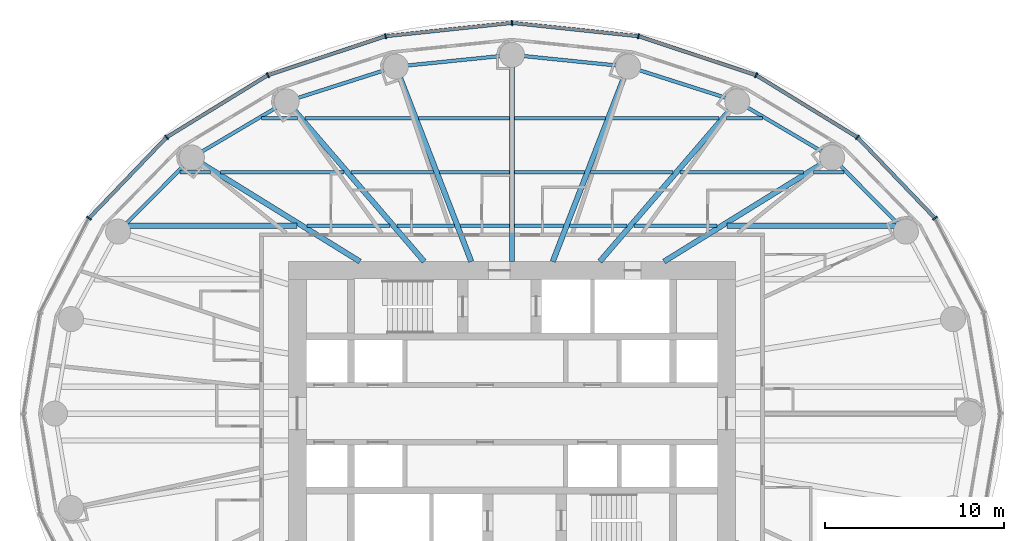
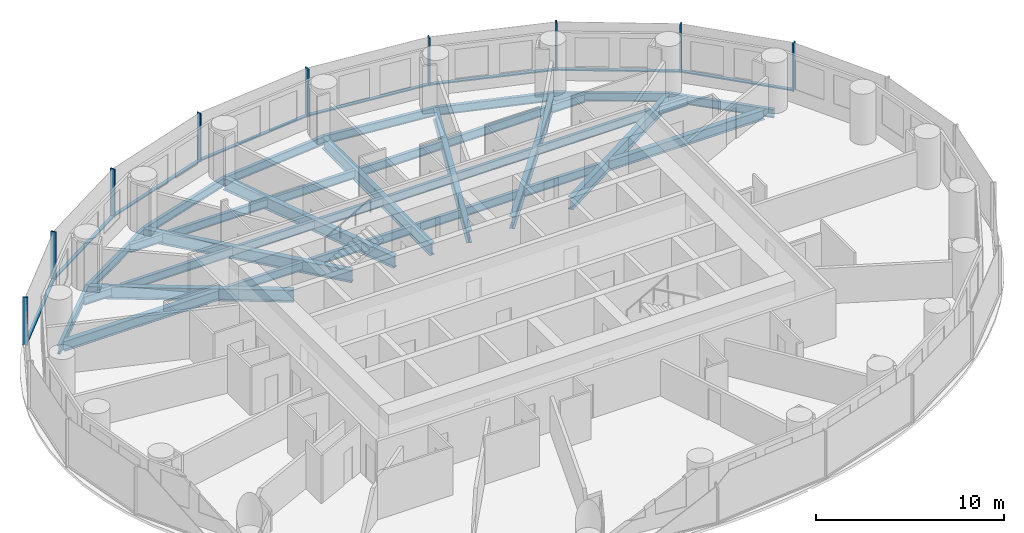
# One storey, part 4 of 13: 37 beams, 17 members, 2 elements without a shape of their own.
"""IFC4 building model written with IfcOpenShell, lengths in metres."""

from ifc_helpers import new_model, si_unit, direction, frame, origin, origin_2d, place, context, subcontext, project, spatial, rectangle, i_section, extrude, material, material_profile, profile_set, type_object, element, aggregate, save


model = new_model("IFC4")

# Units and contexts
model_context = context("Model", 3, precision=1e-05, world=origin(), true_north=direction((0.0, 1.0)))
body_context = subcontext(model_context, "Body", "Model", "MODEL_VIEW")
ifc_project = project(units=[si_unit("LENGTHUNIT", "METRE"), si_unit("AREAUNIT", "SQUARE_METRE"), si_unit("VOLUMEUNIT", "CUBIC_METRE"), si_unit("PLANEANGLEUNIT", "RADIAN"), si_unit("MASSUNIT", "GRAM", prefix="KILO")], contexts=[model_context])

# Site, building, storey
site_placement = place(None, origin())
site = spatial("IfcSite", under=ifc_project, at=site_placement, CompositionType="ELEMENT")
building_placement = place(site_placement, origin())
building = spatial("IfcBuilding", under=site, at=building_placement, Name="Hankou Lantern Tower", CompositionType="ELEMENT")
storey_placement = place(building_placement, frame((0.0, 0.0, 83.699951171875)))
storey = spatial("IfcBuildingStorey", under=building, at=storey_placement, Name="L21", CompositionType="ELEMENT", Elevation=83.699951171875)

# Beams
ifc_material_1 = material(Name="Steel Q355B", Category="steel")
ifc_material_profile_1 = material_profile(ifc_material_1, i_section(OverallWidth=0.199951171875, OverallDepth=0.550048828125, WebThickness=0.010009765625, FlangeThickness=0.01611328125, FilletRadius=0.012939453125, at=origin_2d()), Name="HN550x200x10x16")
ifc_profile_set_1 = profile_set([ifc_material_profile_1], Name="Steel Q355B")
beam_type_1 = type_object("IfcBeamType", Name="EB6 RING BEAM HN550x200x10x16", PredefinedType="SPANDREL", material=ifc_profile_set_1)
beam_1_placement = place(storey_placement, frame((22.01904296875, 10.170166015625, -0.454833984375), z_axis=(-0.705727798394, 0.708483079949, 0.0), x_axis=(-0.708483079949, -0.705727798394, 0.0)))
element("IfcBeam", 1, at=beam_1_placement, inside=storey, type_object=beam_type_1, Name="Ring beam R03-R04 L21", PredefinedType="SPANDREL", context=body_context, shape_type="SweptSolid", body=[
    extrude(i_section(OverallWidth=0.199951171875, OverallDepth=0.550048828125, WebThickness=0.010009765625, FlangeThickness=0.01611328125, FilletRadius=0.012939453125, at=origin_2d()), origin(), (0.0, 0.0, 1.0), 5.84814453125),
])
beam_2_placement = place(storey_placement, frame((17.891845703125, 14.3134765625, -0.454833984375), z_axis=(-0.860881533543, 0.508805449268, 0.0), x_axis=(-0.508805449268, -0.860881533543, 0.0)))
element("IfcBeam", 2, at=beam_2_placement, inside=storey, type_object=beam_type_1, Name="Ring beam R04-R05 L21", PredefinedType="SPANDREL", context=body_context, shape_type="SweptSolid", body=[
    extrude(i_section(OverallWidth=0.199951171875, OverallDepth=0.550048828125, WebThickness=0.010009765625, FlangeThickness=0.01611328125, FilletRadius=0.012939453125, at=origin_2d()), origin(), (0.0, 0.0, 1.0), 6.15771484375),
])
beam_3_placement = place(storey_placement, frame((12.5908203125, 17.446533203125, -0.454833984375), z_axis=(-0.952690479428, 0.303942182671, 0.0), x_axis=(-0.303942182671, -0.952690479428, 0.0)))
element("IfcBeam", 3, at=beam_3_placement, inside=storey, type_object=beam_type_1, Name="Ring beam R05-R06 L21", PredefinedType="SPANDREL", context=body_context, shape_type="SweptSolid", body=[
    extrude(i_section(OverallWidth=0.199951171875, OverallDepth=0.550048828125, WebThickness=0.010009765625, FlangeThickness=0.01611328125, FilletRadius=0.012939453125, at=origin_2d()), origin(), (0.0, 0.0, 1.0), 6.398681640625),
])
for number, where, z_axis, x_axis, name in (
    (4, (6.494873046875, 19.391357421875, -0.454833984375), (-0.994896616842, 0.100899562915, 0.0), (-0.100899562915, -0.994896616842, 0.0), "Ring beam R06-R07 L21"),
    (5, (0.0, 20.050048828125, -0.454833984375), (-0.994896616842, -0.100899562915, 0.0), (0.100899562915, -0.994896616842, 0.0), "Ring beam R07-R08 L21"),
):
    element("IfcBeam", number, at=place(storey_placement, frame(where, z_axis=z_axis, x_axis=x_axis)), inside=storey, type_object=beam_type_1, Name=name, PredefinedType="SPANDREL", context=body_context, shape_type="SweptSolid", body=[
        extrude(i_section(OverallWidth=0.199951171875, OverallDepth=0.550048828125, WebThickness=0.010009765625, FlangeThickness=0.01611328125, FilletRadius=0.012939453125, at=origin_2d()), origin(), (0.0, 0.0, 1.0), 6.528076171875),
    ])
beam_4_placement = place(storey_placement, frame((-6.494873046875, 19.391357421875, -0.454833984375), z_axis=(-0.952690479428, -0.303942182671, 0.0), x_axis=(0.303942182671, -0.952690479428, 0.0)))
element("IfcBeam", 6, at=beam_4_placement, inside=storey, type_object=beam_type_1, Name="Ring beam R08-R09 L21", PredefinedType="SPANDREL", context=body_context, shape_type="SweptSolid", body=[
    extrude(i_section(OverallWidth=0.199951171875, OverallDepth=0.550048828125, WebThickness=0.010009765625, FlangeThickness=0.01611328125, FilletRadius=0.012939453125, at=origin_2d()), origin(), (0.0, 0.0, 1.0), 6.398681640625),
])
beam_5_placement = place(storey_placement, frame((-12.5908203125, 17.446533203125, -0.454833984375), z_axis=(-0.860881533543, -0.508805449268, 0.0), x_axis=(0.508805449268, -0.860881533543, 0.0)))
element("IfcBeam", 7, at=beam_5_placement, inside=storey, type_object=beam_type_1, Name="Ring beam R09-R10 L21", PredefinedType="SPANDREL", context=body_context, shape_type="SweptSolid", body=[
    extrude(i_section(OverallWidth=0.199951171875, OverallDepth=0.550048828125, WebThickness=0.010009765625, FlangeThickness=0.01611328125, FilletRadius=0.012939453125, at=origin_2d()), origin(), (0.0, 0.0, 1.0), 6.15771484375),
])
beam_6_placement = place(storey_placement, frame((-17.891845703125, 14.3134765625, -0.454833984375), z_axis=(-0.705727798394, -0.708483079949, 0.0), x_axis=(0.708483079949, -0.705727798394, 0.0)))
element("IfcBeam", 8, at=beam_6_placement, inside=storey, type_object=beam_type_1, Name="Ring beam R10-R11 L21", PredefinedType="SPANDREL", context=body_context, shape_type="SweptSolid", body=[
    extrude(i_section(OverallWidth=0.199951171875, OverallDepth=0.550048828125, WebThickness=0.010009765625, FlangeThickness=0.01611328125, FilletRadius=0.012939453125, at=origin_2d()), origin(), (0.0, 0.0, 1.0), 5.84814453125),
])

# Curtain wall, members
ifc_material_2 = material(Name="Glass, dark grey tinted laminated", Category="glass")
curtain_wall_type = type_object("IfcCurtainWallType", Name="CWA OUTER SKIN LOW-RISE", PredefinedType="USERDEFINED", material=ifc_material_2)
curtain_wall_1_placement = place(storey_placement, origin())
curtain_wall_1 = element("IfcCurtainWall", 9, at=curtain_wall_1_placement, inside=storey, type_object=curtain_wall_type, Name="CWA L21 OS1", ObjectType="OUTER SKIN LOW-RISE", PredefinedType="USERDEFINED")
ifc_material_3 = material(Name="Aluminium, black anodised", Category="aluminium")
ifc_material_profile_2 = material_profile(ifc_material_3, rectangle(XDim=0.080078125, YDim=0.300048828125, at=origin_2d()), Name="MU1 80X300")
ifc_profile_set_2 = profile_set([ifc_material_profile_2], Name="Aluminium, black anodised")
member_type_1 = type_object("IfcMemberType", Name="MU1 OUTER SKIN MULLION 80X300", PredefinedType="MULLION", material=ifc_profile_set_2)
member_1_placement = place(storey_placement, frame((23.642578125, 10.919921875, 0.0), z_axis=(0.0, 0.0, 1.0), x_axis=(-0.585205735974, 0.810884854084, 0.0)))
member_1 = element("IfcMember", 10, at=member_1_placement, type_object=member_type_1, Name="CWA mullion 3", PredefinedType="MULLION", context=body_context, shape_type="SweptSolid", body=[
    extrude(rectangle(XDim=0.080078125, YDim=0.300048828125, at=origin_2d()), origin(), (0.0, 0.0, 1.0), 3.1201171875),
])
member_2_placement = place(storey_placement, frame((19.303955078125, 15.443115234375, 0.0), z_axis=(0.0, 0.0, 1.0), x_axis=(-0.780868809444, 0.624695047553, 0.0)))
member_2 = element("IfcMember", 11, at=member_2_placement, type_object=member_type_1, Name="CWA mullion 4", PredefinedType="MULLION", context=body_context, shape_type="SweptSolid", body=[
    extrude(rectangle(XDim=0.080078125, YDim=0.300048828125, at=origin_2d()), origin(), (0.0, 0.0, 1.0), 3.1201171875),
])
member_3_placement = place(storey_placement, frame((13.64990234375, 18.9140625, 0.0), z_axis=(0.0, 0.0, 1.0), x_axis=(-0.907841299004, 0.419313934686, 0.0)))
member_3 = element("IfcMember", 12, at=member_3_placement, type_object=member_type_1, Name="CWA mullion 5", PredefinedType="MULLION", context=body_context, shape_type="SweptSolid", body=[
    extrude(rectangle(XDim=0.080078125, YDim=0.300048828125, at=origin_2d()), origin(), (0.0, 0.0, 1.0), 3.1201171875),
])
member_4_placement = place(storey_placement, frame((7.065673828125, 21.095703125, 0.0), z_axis=(0.0, 0.0, 1.0), x_axis=(-0.977787659625, 0.209597931016, 0.0)))
member_4 = element("IfcMember", 13, at=member_4_placement, type_object=member_type_1, Name="CWA mullion 6", PredefinedType="MULLION", context=body_context, shape_type="SweptSolid", body=[
    extrude(rectangle(XDim=0.080078125, YDim=0.300048828125, at=origin_2d()), origin(), (0.0, 0.0, 1.0), 3.1201171875),
])

curtain_wall_2_placement = place(storey_placement, origin())
curtain_wall_2 = element("IfcCurtainWall", 14, at=curtain_wall_2_placement, inside=storey, type_object=curtain_wall_type, Name="CWA L21 OS2", ObjectType="OUTER SKIN LOW-RISE", PredefinedType="USERDEFINED")
member_5_placement = place(storey_placement, frame((0.0, 21.840087890625, 0.0), z_axis=(0.0, 0.0, 1.0), x_axis=(-0.994499359107, -0.104742659579, 0.0)))
member_5 = element("IfcMember", 15, at=member_5_placement, type_object=member_type_1, Name="CWA mullion 1", PredefinedType="MULLION", context=body_context, shape_type="SweptSolid", body=[
    extrude(rectangle(XDim=0.080078125, YDim=0.300048828125, at=origin_2d()), origin(), (0.0, 0.0, 1.0), 3.1201171875),
])
member_6_placement = place(storey_placement, frame((-7.065673828125, 21.095703125, 0.0), z_axis=(0.0, 0.0, 1.0), x_axis=(-0.977787659625, -0.209597931016, 0.0)))
member_6 = element("IfcMember", 16, at=member_6_placement, type_object=member_type_1, Name="CWA mullion 2", PredefinedType="MULLION", context=body_context, shape_type="SweptSolid", body=[
    extrude(rectangle(XDim=0.080078125, YDim=0.300048828125, at=origin_2d()), origin(), (0.0, 0.0, 1.0), 3.1201171875),
])
member_7_placement = place(storey_placement, frame((-13.64990234375, 18.9140625, 0.0), z_axis=(0.0, 0.0, 1.0), x_axis=(-0.907841299004, -0.419313934686, 0.0)))
member_7 = element("IfcMember", 17, at=member_7_placement, type_object=member_type_1, Name="CWA mullion 3", PredefinedType="MULLION", context=body_context, shape_type="SweptSolid", body=[
    extrude(rectangle(XDim=0.080078125, YDim=0.300048828125, at=origin_2d()), origin(), (0.0, 0.0, 1.0), 3.1201171875),
])
member_8_placement = place(storey_placement, frame((-19.303955078125, 15.443115234375, 0.0), z_axis=(0.0, 0.0, 1.0), x_axis=(-0.780868809444, -0.624695047553, 0.0)))
member_8 = element("IfcMember", 18, at=member_8_placement, type_object=member_type_1, Name="CWA mullion 4", PredefinedType="MULLION", context=body_context, shape_type="SweptSolid", body=[
    extrude(rectangle(XDim=0.080078125, YDim=0.300048828125, at=origin_2d()), origin(), (0.0, 0.0, 1.0), 3.1201171875),
])
member_9_placement = place(storey_placement, frame((-23.642578125, 10.919921875, 0.0), z_axis=(0.0, 0.0, 1.0), x_axis=(-0.585205735974, -0.810884854084, 0.0)))
member_9 = element("IfcMember", 19, at=member_9_placement, type_object=member_type_1, Name="CWA mullion 5", PredefinedType="MULLION", context=body_context, shape_type="SweptSolid", body=[
    extrude(rectangle(XDim=0.080078125, YDim=0.300048828125, at=origin_2d()), origin(), (0.0, 0.0, 1.0), 3.1201171875),
])

# Beams
ifc_material_4 = material(Name="Steel Q355B", Category="steel")
ifc_material_profile_3 = material_profile(ifc_material_4, i_section(OverallWidth=0.300048828125, OverallDepth=0.800048828125, WebThickness=0.013916015625, FlangeThickness=0.02587890625, FilletRadius=0.01806640625, at=origin_2d()), Name="HN800x300x14x26")
ifc_profile_set_3 = profile_set([ifc_material_profile_3], Name="Steel Q355B")
beam_type_2 = type_object("IfcBeamType", Name="RB11 RADIAL BEAM HN800x300x14x26", PredefinedType="BEAM", material=ifc_profile_set_3)
beam_7_placement = place(storey_placement, frame((8.5, 8.5, -0.579833984375), z_axis=(0.850286343288, 0.526320372414, 0.0), x_axis=(-0.526320372414, 0.850286343288, 0.0)))
element("IfcBeam", 20, at=beam_7_placement, inside=storey, type_object=beam_type_2, Name="Radial beam R04 L21", PredefinedType="BEAM", context=body_context, shape_type="SweptSolid", body=[
    extrude(i_section(OverallWidth=0.300048828125, OverallDepth=0.800048828125, WebThickness=0.013916015625, FlangeThickness=0.02587890625, FilletRadius=0.01806640625, at=origin_2d()), origin(), (0.0, 0.0, 1.0), 11.04541015625),
])
beam_8_placement = place(storey_placement, frame((4.907470703125, 8.5, -0.579833984375), z_axis=(0.651519061225, 0.758632264579, 0.0), x_axis=(-0.758632264579, 0.651519061225, 0.0)))
element("IfcBeam", 21, at=beam_8_placement, inside=storey, type_object=beam_type_2, Name="Radial beam R05 L21", PredefinedType="BEAM", context=body_context, shape_type="SweptSolid", body=[
    extrude(i_section(OverallWidth=0.300048828125, OverallDepth=0.800048828125, WebThickness=0.013916015625, FlangeThickness=0.02587890625, FilletRadius=0.01806640625, at=origin_2d()), origin(), (0.0, 0.0, 1.0), 11.79296875),
])
beam_9_placement = place(storey_placement, frame((2.277587890625, 8.5, -0.579833984375), z_axis=(0.361089103374, 0.932531318201, 0.0), x_axis=(-0.932531318201, 0.361089103374, 0.0)))
element("IfcBeam", 22, at=beam_9_placement, inside=storey, type_object=beam_type_2, Name="Radial beam R06 L21", PredefinedType="BEAM", context=body_context, shape_type="SweptSolid", body=[
    extrude(i_section(OverallWidth=0.300048828125, OverallDepth=0.800048828125, WebThickness=0.013916015625, FlangeThickness=0.02587890625, FilletRadius=0.01806640625, at=origin_2d()), origin(), (0.0, 0.0, 1.0), 11.679443359375),
])
beam_10_placement = place(storey_placement, frame((0.0, 8.5, -0.579833984375), z_axis=(0.0, 1.0, 0.0), x_axis=(-1.0, 0.0, 0.0)))
element("IfcBeam", 23, at=beam_10_placement, inside=storey, type_object=beam_type_2, Name="Radial beam R07 L21", PredefinedType="BEAM", context=body_context, shape_type="SweptSolid", body=[
    extrude(i_section(OverallWidth=0.300048828125, OverallDepth=0.800048828125, WebThickness=0.013916015625, FlangeThickness=0.02587890625, FilletRadius=0.01806640625, at=origin_2d()), origin(), (0.0, 0.0, 1.0), 11.550048828125),
])
beam_11_placement = place(storey_placement, frame((-2.277587890625, 8.5, -0.579833984375), z_axis=(-0.361089103374, 0.932531318201, 0.0), x_axis=(-0.932531318201, -0.361089103374, 0.0)))
element("IfcBeam", 24, at=beam_11_placement, inside=storey, type_object=beam_type_2, Name="Radial beam R08 L21", PredefinedType="BEAM", context=body_context, shape_type="SweptSolid", body=[
    extrude(i_section(OverallWidth=0.300048828125, OverallDepth=0.800048828125, WebThickness=0.013916015625, FlangeThickness=0.02587890625, FilletRadius=0.01806640625, at=origin_2d()), origin(), (0.0, 0.0, 1.0), 11.679443359375),
])
beam_12_placement = place(storey_placement, frame((-4.907470703125, 8.5, -0.579833984375), z_axis=(-0.651519061225, 0.758632264579, 0.0), x_axis=(-0.758632264579, -0.651519061225, 0.0)))
element("IfcBeam", 25, at=beam_12_placement, inside=storey, type_object=beam_type_2, Name="Radial beam R09 L21", PredefinedType="BEAM", context=body_context, shape_type="SweptSolid", body=[
    extrude(i_section(OverallWidth=0.300048828125, OverallDepth=0.800048828125, WebThickness=0.013916015625, FlangeThickness=0.02587890625, FilletRadius=0.01806640625, at=origin_2d()), origin(), (0.0, 0.0, 1.0), 11.79296875),
])
beam_13_placement = place(storey_placement, frame((-8.5, 8.5, -0.579833984375), z_axis=(-0.850286343288, 0.526320372414, 0.0), x_axis=(-0.526320372414, -0.850286343288, 0.0)))
element("IfcBeam", 26, at=beam_13_placement, inside=storey, type_object=beam_type_2, Name="Radial beam R10 L21", PredefinedType="BEAM", context=body_context, shape_type="SweptSolid", body=[
    extrude(i_section(OverallWidth=0.300048828125, OverallDepth=0.800048828125, WebThickness=0.013916015625, FlangeThickness=0.02587890625, FilletRadius=0.01806640625, at=origin_2d()), origin(), (0.0, 0.0, 1.0), 11.04541015625),
])
ifc_material_5 = material(Name="Steel Q355B", Category="steel")
ifc_material_profile_4 = material_profile(ifc_material_5, i_section(OverallWidth=0.199951171875, OverallDepth=0.550048828125, WebThickness=0.010009765625, FlangeThickness=0.01611328125, FilletRadius=0.012939453125, at=origin_2d()), Name="HN550x200x10x16")
ifc_profile_set_4 = profile_set([ifc_material_profile_4], Name="Steel Q355B")
beam_type_3 = type_object("IfcBeamType", Name="SB6 SECONDARY BEAM HN550x200x10x16", PredefinedType="JOIST", material=ifc_profile_set_4)
beam_14_placement = place(storey_placement, frame((-11.446044921875, 10.5, -0.454833984375), z_axis=(1.0, 0.0, 0.0), x_axis=(0.0, 1.0, 0.0)))
element("IfcBeam", 27, at=beam_14_placement, inside=storey, type_object=beam_type_3, Name="Floor joist J040 L21", PredefinedType="JOIST", context=body_context, shape_type="SweptSolid", body=[
    extrude(i_section(OverallWidth=0.199951171875, OverallDepth=0.550048828125, WebThickness=0.010009765625, FlangeThickness=0.01611328125, FilletRadius=0.012939453125, at=origin_2d()), origin(), (0.0, 0.0, 1.0), 4.623291015625),
])
beam_15_placement = place(storey_placement, frame((-6.427490234375, 10.5, -0.454833984375), z_axis=(1.0, 0.0, 0.0), x_axis=(0.0, 1.0, 0.0)))
element("IfcBeam", 28, at=beam_15_placement, inside=storey, type_object=beam_type_3, Name="Floor joist J041 L21", PredefinedType="JOIST", context=body_context, shape_type="SweptSolid", body=[
    extrude(i_section(OverallWidth=0.199951171875, OverallDepth=0.550048828125, WebThickness=0.010009765625, FlangeThickness=0.01611328125, FilletRadius=0.012939453125, at=origin_2d()), origin(), (0.0, 0.0, 1.0), 3.214599609375),
])
for number, where, z_axis, x_axis, name in (
    (29, (-2.89111328125, 10.5, -0.454833984375), (1.0, 0.0, 0.0), (0.0, 1.0, 0.0), "Floor joist J042 L21"),
    (30, (0.14990234375, 10.5, -0.454833984375), (1.0, 0.0, 0.0), (0.0, 1.0, 0.0), "Floor joist J043 L21"),
):
    element("IfcBeam", number, at=place(storey_placement, frame(where, z_axis=z_axis, x_axis=x_axis)), inside=storey, type_object=beam_type_3, Name=name, PredefinedType="JOIST", context=body_context, shape_type="SweptSolid", body=[
        extrude(i_section(OverallWidth=0.199951171875, OverallDepth=0.550048828125, WebThickness=0.010009765625, FlangeThickness=0.01611328125, FilletRadius=0.012939453125, at=origin_2d()), origin(), (0.0, 0.0, 1.0), 2.7412109375),
    ])
beam_16_placement = place(storey_placement, frame((3.212890625, 10.5, -0.454833984375), z_axis=(1.0, 0.0, 0.0), x_axis=(0.0, 1.0, 0.0)))
element("IfcBeam", 31, at=beam_16_placement, inside=storey, type_object=beam_type_3, Name="Floor joist J044 L21", PredefinedType="JOIST", context=body_context, shape_type="SweptSolid", body=[
    extrude(i_section(OverallWidth=0.199951171875, OverallDepth=0.550048828125, WebThickness=0.010009765625, FlangeThickness=0.01611328125, FilletRadius=0.012939453125, at=origin_2d()), origin(), (0.0, 0.0, 1.0), 3.214599609375),
])
beam_17_placement = place(storey_placement, frame((6.82275390625, 10.5, -0.454833984375), z_axis=(1.0, 0.0, 0.0), x_axis=(0.0, 1.0, 0.0)))
element("IfcBeam", 32, at=beam_17_placement, inside=storey, type_object=beam_type_3, Name="Floor joist J045 L21", PredefinedType="JOIST", context=body_context, shape_type="SweptSolid", body=[
    extrude(i_section(OverallWidth=0.199951171875, OverallDepth=0.550048828125, WebThickness=0.010009765625, FlangeThickness=0.01611328125, FilletRadius=0.012939453125, at=origin_2d()), origin(), (0.0, 0.0, 1.0), 4.623291015625),
])
beam_18_placement = place(storey_placement, frame((-18.560791015625, 13.5, -0.454833984375), z_axis=(1.0, 0.0, 0.0), x_axis=(0.0, 1.0, 0.0)))
element("IfcBeam", 33, at=beam_18_placement, inside=storey, type_object=beam_type_3, Name="Floor joist J047 L21", PredefinedType="JOIST", context=body_context, shape_type="SweptSolid", body=[
    extrude(i_section(OverallWidth=0.199951171875, OverallDepth=0.550048828125, WebThickness=0.010009765625, FlangeThickness=0.01611328125, FilletRadius=0.012939453125, at=origin_2d()), origin(), (0.0, 0.0, 1.0), 1.697998046875),
])
beam_19_placement = place(storey_placement, frame((-16.292724609375, 13.5, -0.454833984375), z_axis=(1.0, 0.0, 0.0), x_axis=(0.0, 1.0, 0.0)))
element("IfcBeam", 34, at=beam_19_placement, inside=storey, type_object=beam_type_3, Name="Floor joist J048 L21", PredefinedType="JOIST", context=body_context, shape_type="SweptSolid", body=[
    extrude(i_section(OverallWidth=0.199951171875, OverallDepth=0.550048828125, WebThickness=0.010009765625, FlangeThickness=0.01611328125, FilletRadius=0.012939453125, at=origin_2d()), origin(), (0.0, 0.0, 1.0), 6.893310546875),
])
beam_20_placement = place(storey_placement, frame((-9.00390625, 13.5, -0.454833984375), z_axis=(1.0, 0.0, 0.0), x_axis=(0.0, 1.0, 0.0)))
element("IfcBeam", 35, at=beam_20_placement, inside=storey, type_object=beam_type_3, Name="Floor joist J049 L21", PredefinedType="JOIST", context=body_context, shape_type="SweptSolid", body=[
    extrude(i_section(OverallWidth=0.199951171875, OverallDepth=0.550048828125, WebThickness=0.010009765625, FlangeThickness=0.01611328125, FilletRadius=0.012939453125, at=origin_2d()), origin(), (0.0, 0.0, 1.0), 4.62939453125),
])
for number, where, z_axis, x_axis, name in (
    (36, (-4.052734375, 13.5, -0.454833984375), (1.0, 0.0, 0.0), (0.0, 1.0, 0.0), "Floor joist J050 L21"),
    (37, (0.14990234375, 13.5, -0.454833984375), (1.0, 0.0, 0.0), (0.0, 1.0, 0.0), "Floor joist J051 L21"),
):
    element("IfcBeam", number, at=place(storey_placement, frame(where, z_axis=z_axis, x_axis=x_axis)), inside=storey, type_object=beam_type_3, Name=name, PredefinedType="JOIST", context=body_context, shape_type="SweptSolid", body=[
        extrude(i_section(OverallWidth=0.199951171875, OverallDepth=0.550048828125, WebThickness=0.010009765625, FlangeThickness=0.01611328125, FilletRadius=0.012939453125, at=origin_2d()), origin(), (0.0, 0.0, 1.0), 3.90283203125),
    ])
beam_21_placement = place(storey_placement, frame((4.37451171875, 13.5, -0.454833984375), z_axis=(1.0, 0.0, 0.0), x_axis=(0.0, 1.0, 0.0)))
element("IfcBeam", 38, at=beam_21_placement, inside=storey, type_object=beam_type_3, Name="Floor joist J052 L21", PredefinedType="JOIST", context=body_context, shape_type="SweptSolid", body=[
    extrude(i_section(OverallWidth=0.199951171875, OverallDepth=0.550048828125, WebThickness=0.010009765625, FlangeThickness=0.01611328125, FilletRadius=0.012939453125, at=origin_2d()), origin(), (0.0, 0.0, 1.0), 4.62939453125),
])
beam_22_placement = place(storey_placement, frame((9.3994140625, 13.5, -0.454833984375), z_axis=(1.0, 0.0, 0.0), x_axis=(0.0, 1.0, 0.0)))
element("IfcBeam", 39, at=beam_22_placement, inside=storey, type_object=beam_type_3, Name="Floor joist J053 L21", PredefinedType="JOIST", context=body_context, shape_type="SweptSolid", body=[
    extrude(i_section(OverallWidth=0.199951171875, OverallDepth=0.550048828125, WebThickness=0.010009765625, FlangeThickness=0.01611328125, FilletRadius=0.012939453125, at=origin_2d()), origin(), (0.0, 0.0, 1.0), 6.893310546875),
])
beam_23_placement = place(storey_placement, frame((16.86279296875, 13.5, -0.454833984375), z_axis=(1.0, 0.0, 0.0), x_axis=(0.0, 1.0, 0.0)))
element("IfcBeam", 40, at=beam_23_placement, inside=storey, type_object=beam_type_3, Name="Floor joist J054 L21", PredefinedType="JOIST", context=body_context, shape_type="SweptSolid", body=[
    extrude(i_section(OverallWidth=0.199951171875, OverallDepth=0.550048828125, WebThickness=0.010009765625, FlangeThickness=0.01611328125, FilletRadius=0.012939453125, at=origin_2d()), origin(), (0.0, 0.0, 1.0), 1.697998046875),
])
beam_24_placement = place(storey_placement, frame((-13.99560546875, 16.5, -0.454833984375), z_axis=(1.0, 0.0, 0.0), x_axis=(0.0, 1.0, 0.0)))
element("IfcBeam", 41, at=beam_24_placement, inside=storey, type_object=beam_type_3, Name="Floor joist J055 L21", PredefinedType="JOIST", context=body_context, shape_type="SweptSolid", body=[
    extrude(i_section(OverallWidth=0.199951171875, OverallDepth=0.550048828125, WebThickness=0.010009765625, FlangeThickness=0.01611328125, FilletRadius=0.012939453125, at=origin_2d()), origin(), (0.0, 0.0, 1.0), 2.019775390625),
])
beam_25_placement = place(storey_placement, frame((-11.580322265625, 16.5, -0.454833984375), z_axis=(1.0, 0.0, 0.0), x_axis=(0.0, 1.0, 0.0)))
element("IfcBeam", 42, at=beam_25_placement, inside=storey, type_object=beam_type_3, Name="Floor joist J056 L21", PredefinedType="JOIST", context=body_context, shape_type="SweptSolid", body=[
    extrude(i_section(OverallWidth=0.199951171875, OverallDepth=0.550048828125, WebThickness=0.010009765625, FlangeThickness=0.01611328125, FilletRadius=0.012939453125, at=origin_2d()), origin(), (0.0, 0.0, 1.0), 6.044189453125),
])
for number, where, z_axis, x_axis, name in (
    (43, (-5.21435546875, 16.5, -0.454833984375), (1.0, 0.0, 0.0), (0.0, 1.0, 0.0), "Floor joist J057 L21"),
    (44, (0.14990234375, 16.5, -0.454833984375), (1.0, 0.0, 0.0), (0.0, 1.0, 0.0), "Floor joist J058 L21"),
):
    element("IfcBeam", number, at=place(storey_placement, frame(where, z_axis=z_axis, x_axis=x_axis)), inside=storey, type_object=beam_type_3, Name=name, PredefinedType="JOIST", context=body_context, shape_type="SweptSolid", body=[
        extrude(i_section(OverallWidth=0.199951171875, OverallDepth=0.550048828125, WebThickness=0.010009765625, FlangeThickness=0.01611328125, FilletRadius=0.012939453125, at=origin_2d()), origin(), (0.0, 0.0, 1.0), 5.064453125),
    ])
beam_26_placement = place(storey_placement, frame((5.5361328125, 16.5, -0.454833984375), z_axis=(1.0, 0.0, 0.0), x_axis=(0.0, 1.0, 0.0)))
element("IfcBeam", 45, at=beam_26_placement, inside=storey, type_object=beam_type_3, Name="Floor joist J059 L21", PredefinedType="JOIST", context=body_context, shape_type="SweptSolid", body=[
    extrude(i_section(OverallWidth=0.199951171875, OverallDepth=0.550048828125, WebThickness=0.010009765625, FlangeThickness=0.01611328125, FilletRadius=0.012939453125, at=origin_2d()), origin(), (0.0, 0.0, 1.0), 6.044189453125),
])
beam_27_placement = place(storey_placement, frame((11.975830078125, 16.5, -0.454833984375), z_axis=(1.0, 0.0, 0.0), x_axis=(0.0, 1.0, 0.0)))
element("IfcBeam", 46, at=beam_27_placement, inside=storey, type_object=beam_type_3, Name="Floor joist J060 L21", PredefinedType="JOIST", context=body_context, shape_type="SweptSolid", body=[
    extrude(i_section(OverallWidth=0.199951171875, OverallDepth=0.550048828125, WebThickness=0.010009765625, FlangeThickness=0.01611328125, FilletRadius=0.012939453125, at=origin_2d()), origin(), (0.0, 0.0, 1.0), 2.019775390625),
])
ifc_material_6 = material(Name="Steel Q355B", Category="steel")
ifc_material_profile_5 = material_profile(ifc_material_6, i_section(OverallWidth=0.300048828125, OverallDepth=0.64990234375, WebThickness=0.010986328125, FlangeThickness=0.01708984375, FilletRadius=0.01806640625, at=origin_2d()), Name="HN650x300x11x17")
ifc_profile_set_5 = profile_set([ifc_material_profile_5], Name="Steel Q355B")
beam_type_4 = type_object("IfcBeamType", Name="SB8 SECONDARY BEAM HN650x300x11x17", PredefinedType="JOIST", material=ifc_profile_set_5)
for number, where, z_axis, x_axis, name in (
    (47, (-21.54931640625, 10.5, -0.5048828125), (1.0, 0.0, 0.0), (0.0, 1.0, 0.0), "Floor joist J039 L21"),
    (48, (12.01611328125, 10.5, -0.5048828125), (1.0, 0.0, 0.0), (0.0, 1.0, 0.0), "Floor joist J046 L21"),
):
    element("IfcBeam", number, at=place(storey_placement, frame(where, z_axis=z_axis, x_axis=x_axis)), inside=storey, type_object=beam_type_4, Name=name, PredefinedType="JOIST", context=body_context, shape_type="SweptSolid", body=[
        extrude(i_section(OverallWidth=0.300048828125, OverallDepth=0.64990234375, WebThickness=0.010986328125, FlangeThickness=0.01708984375, FilletRadius=0.01806640625, at=origin_2d()), origin(), (0.0, 0.0, 1.0), 9.533203125),
    ])

# Member
ifc_material_7 = material(Name="Aluminium, black anodised", Category="aluminium")
ifc_material_profile_6 = material_profile(ifc_material_7, rectangle(XDim=0.199951171875, YDim=0.080078125, at=origin_2d()), Name="TR1 200X80")
ifc_profile_set_6 = profile_set([ifc_material_profile_6], Name="Aluminium, black anodised")
member_type_2 = type_object("IfcMemberType", Name="TR1 OUTER SKIN TRANSOM 200X80", PredefinedType="USERDEFINED", material=ifc_profile_set_6)
member_10_placement = place(storey_placement, frame((23.61474609375, 10.948974609375, 0.0400390625), z_axis=(-0.692215537374, 0.721690827029, 0.0), x_axis=(-0.721690827029, -0.692215537374, 0.0)))
member_10 = element("IfcMember", 49, at=member_10_placement, type_object=member_type_2, Name="CWA transom 3", ObjectType="TRANSOM", PredefinedType="USERDEFINED", context=body_context, shape_type="SweptSolid", body=[
    extrude(rectangle(XDim=0.199951171875, YDim=0.080078125, at=origin_2d()), origin(), (0.0, 0.0, 1.0), 6.187255859375),
])

member_11_placement = place(storey_placement, frame((19.27001953125, 15.464111328125, 0.0400390625), z_axis=(-0.85223969557, 0.523151508929, 0.0), x_axis=(-0.523151508929, -0.85223969557, 0.0)))
member_11 = element("IfcMember", 50, at=member_11_placement, type_object=member_type_2, Name="CWA transom 4", ObjectType="TRANSOM", PredefinedType="USERDEFINED", context=body_context, shape_type="SweptSolid", body=[
    extrude(rectangle(XDim=0.199951171875, YDim=0.080078125, at=origin_2d()), origin(), (0.0, 0.0, 1.0), 6.554443359375),
])

member_12_placement = place(storey_placement, frame((13.612060546875, 18.926513671875, 0.0400390625), z_axis=(-0.949237318771, 0.314560825044, 0.0), x_axis=(-0.314560825044, -0.949237318771, 0.0)))
member_12 = element("IfcMember", 51, at=member_12_placement, type_object=member_type_2, Name="CWA transom 5", ObjectType="TRANSOM", PredefinedType="USERDEFINED", context=body_context, shape_type="SweptSolid", body=[
    extrude(rectangle(XDim=0.199951171875, YDim=0.080078125, at=origin_2d()), origin(), (0.0, 0.0, 1.0), 6.8564453125),
])

member_13_placement = place(storey_placement, frame((7.02587890625, 21.10009765625, 0.0400390625), z_axis=(-0.994502215033, 0.104715539888, 0.0), x_axis=(-0.104715539888, -0.994502215033, 0.0)))
member_13 = element("IfcMember", 52, at=member_13_placement, type_object=member_type_2, Name="CWA transom 6", ObjectType="TRANSOM", PredefinedType="USERDEFINED", context=body_context, shape_type="SweptSolid", body=[
    extrude(rectangle(XDim=0.199951171875, YDim=0.080078125, at=origin_2d()), origin(), (0.0, 0.0, 1.0), 7.024658203125),
])

aggregate(curtain_wall_1, [member_1, member_2, member_3, member_4, member_10, member_11, member_12, member_13])

member_14_placement = place(storey_placement, frame((-0.039794921875, 21.835693359375, 0.0400390625), z_axis=(-0.994502215033, -0.104715539888, 0.0), x_axis=(0.104715539888, -0.994502215033, 0.0)))
member_14 = element("IfcMember", 53, at=member_14_placement, type_object=member_type_2, Name="CWA transom 1", ObjectType="TRANSOM", PredefinedType="USERDEFINED", context=body_context, shape_type="SweptSolid", body=[
    extrude(rectangle(XDim=0.199951171875, YDim=0.080078125, at=origin_2d()), origin(), (0.0, 0.0, 1.0), 7.024658203125),
])

member_15_placement = place(storey_placement, frame((-7.103759765625, 21.083251953125, 0.0400390625), z_axis=(-0.949237318771, -0.314560825044, 0.0), x_axis=(0.314560825044, -0.949237318771, 0.0)))
member_15 = element("IfcMember", 54, at=member_15_placement, type_object=member_type_2, Name="CWA transom 2", ObjectType="TRANSOM", PredefinedType="USERDEFINED", context=body_context, shape_type="SweptSolid", body=[
    extrude(rectangle(XDim=0.199951171875, YDim=0.080078125, at=origin_2d()), origin(), (0.0, 0.0, 1.0), 6.8564453125),
])

member_16_placement = place(storey_placement, frame((-13.68408203125, 18.89306640625, 0.0400390625), z_axis=(-0.85223969557, -0.523151508929, 0.0), x_axis=(0.523151508929, -0.85223969557, 0.0)))
member_16 = element("IfcMember", 55, at=member_16_placement, type_object=member_type_2, Name="CWA transom 3", ObjectType="TRANSOM", PredefinedType="USERDEFINED", context=body_context, shape_type="SweptSolid", body=[
    extrude(rectangle(XDim=0.199951171875, YDim=0.080078125, at=origin_2d()), origin(), (0.0, 0.0, 1.0), 6.554443359375),
])

member_17_placement = place(storey_placement, frame((-19.331787109375, 15.414306640625, 0.0400390625), z_axis=(-0.692215537374, -0.721690827029, 0.0), x_axis=(0.721690827029, -0.692215537374, 0.0)))
member_17 = element("IfcMember", 56, at=member_17_placement, type_object=member_type_2, Name="CWA transom 4", ObjectType="TRANSOM", PredefinedType="USERDEFINED", context=body_context, shape_type="SweptSolid", body=[
    extrude(rectangle(XDim=0.199951171875, YDim=0.080078125, at=origin_2d()), origin(), (0.0, 0.0, 1.0), 6.187255859375),
])

aggregate(curtain_wall_2, [member_5, member_6, member_7, member_8, member_9, member_14, member_15, member_16, member_17])

save(model, "model.ifc")
